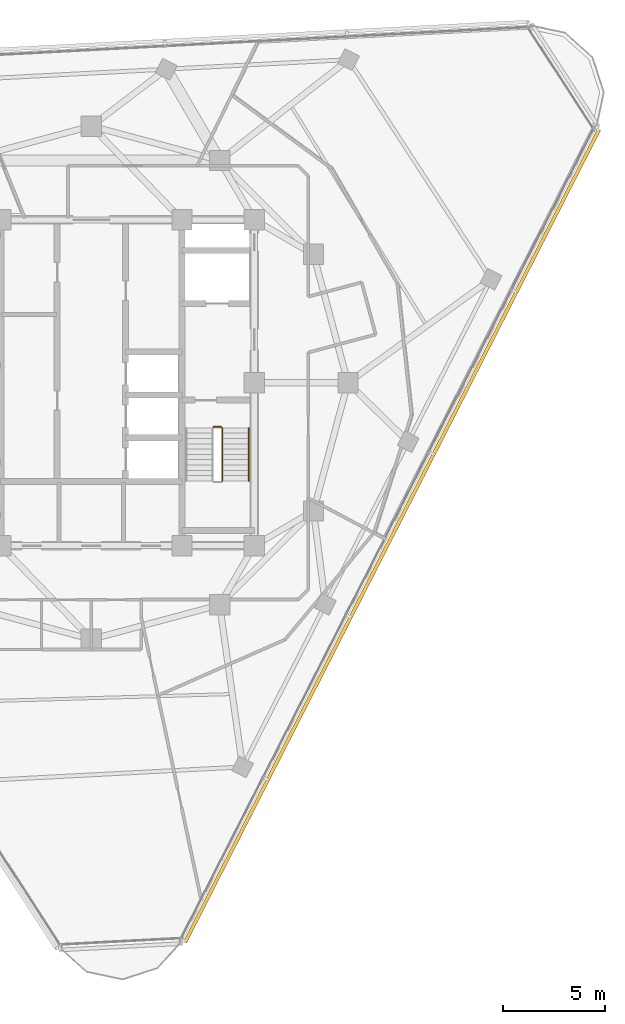
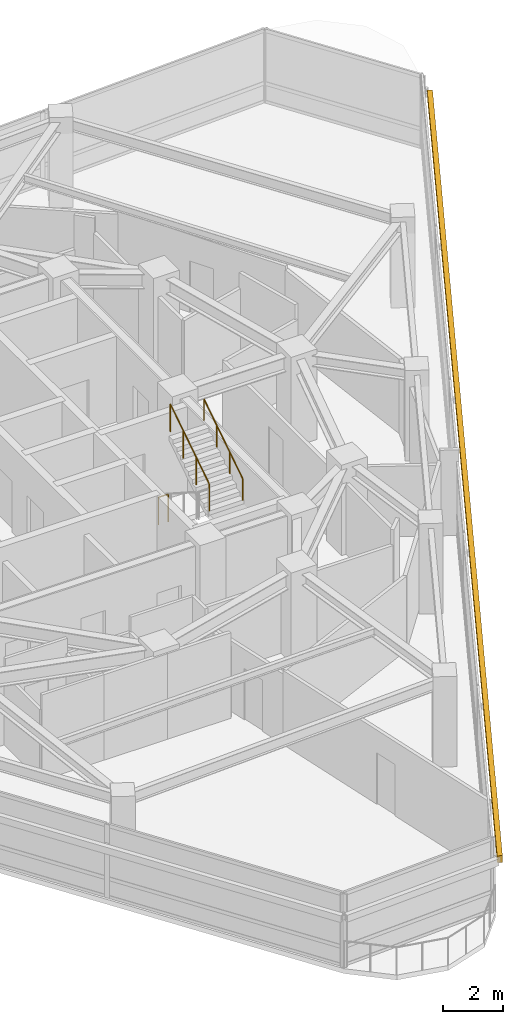
# One storey, part 13 of 15: 3 railings, 1 shading device.
"""IFC4 building model written with IfcOpenShell, lengths in metres."""

from ifc_helpers import new_model, si_unit, direction, frame, origin, origin_2d, place, context, subcontext, project, spatial, rectangle, circle, extrude, material, layer, layer_set, type_object, element, save


model = new_model("IFC4")

# Units and contexts
model_context = context("Model", 3, precision=1e-05, world=origin(), true_north=direction((0.0, 1.0)))
body_context = subcontext(model_context, "Body", "Model", "MODEL_VIEW")
ifc_project = project(units=[si_unit("LENGTHUNIT", "METRE"), si_unit("AREAUNIT", "SQUARE_METRE"), si_unit("VOLUMEUNIT", "CUBIC_METRE"), si_unit("PLANEANGLEUNIT", "RADIAN"), si_unit("MASSUNIT", "GRAM", prefix="KILO")], contexts=[model_context])

# Site, building, storey
site_placement = place(None, origin())
site = spatial("IfcSite", under=ifc_project, at=site_placement, CompositionType="ELEMENT")
building_placement = place(site_placement, origin())
building = spatial("IfcBuilding", under=site, at=building_placement, Name="Terralouvre Media Tower", CompositionType="ELEMENT")
storey_placement = place(building_placement, frame((0.0, 0.0, 267.0)))
storey = spatial("IfcBuildingStorey", under=building, at=storey_placement, Name="L69", CompositionType="ELEMENT", Elevation=267.0)

# Railings
ifc_material_1 = material(Name="Stainless steel 316 handrail and balustrade", Category="steel")
ifc_layer_1 = layer(ifc_material_1, 0.050048828125, Name="Stair Flight Wall Handrail HR-INT1")
ifc_layer_set_1 = layer_set([ifc_layer_1], Name="Stainless steel 316 handrail and balustrade")
railing_type_1 = type_object("IfcRailingType", Name="Stair Flight Wall Handrail HR-INT1", PredefinedType="HANDRAIL", material=ifc_layer_set_1)
railing_1_placement = place(storey_placement, frame((7.72998046875, -4.820068359375, 2.01806640625)))
element("IfcRailing", 1, at=railing_1_placement, inside=storey, type_object=railing_type_1, Name="L69 ST-02 stair handrail 2", PredefinedType="HANDRAIL", context=body_context, shape_type="SweptSolid", body=[
    extrude(circle(Radius=0.02392578125, at=origin_2d()), frame((0.0, 0.0, 0.8759765625), z_axis=(0.0, 0.839648411786, 0.543130320075), x_axis=(-1.0, 0.0, 0.0)), (0.0, 0.0, 1.0), 3.0966796875),
    extrude(circle(Radius=0.02099609375, at=origin_2d()), origin(), (0.0, 0.0, 1.0), 0.851806640625),
    extrude(circle(Radius=0.02099609375, at=origin_2d()), frame((0.0, 0.86669921875, 0.560546875)), (0.0, 0.0, 1.0), 0.851806640625),
    extrude(circle(Radius=0.02099609375, at=origin_2d()), frame((0.0, 1.7333984375, 1.121337890625)), (0.0, 0.0, 1.0), 0.851806640625),
    extrude(circle(Radius=0.02099609375, at=origin_2d()), frame((0.0, 2.60009765625, 1.681884765625)), (0.0, 0.0, 1.0), 0.851806640625),
])
ifc_material_2 = material(Name="Stainless steel 316 handrail and balustrade", Category="steel")
ifc_layer_2 = layer(ifc_material_2, 0.050048828125, Name="Stairwell Safety Guardrail GR-INT1")
ifc_layer_set_2 = layer_set([ifc_layer_2], Name="Stainless steel 316 handrail and balustrade")
railing_type_2 = type_object("IfcRailingType", Name="Stairwell Safety Guardrail GR-INT1", PredefinedType="GUARDRAIL", material=ifc_layer_set_2)
railing_2_placement = place(storey_placement, frame((6.429931640625, -4.820068359375, 2.01806640625)))
element("IfcRailing", 2, at=railing_2_placement, inside=storey, type_object=railing_type_2, Name="L69 ST-02 stair guard 3", PredefinedType="GUARDRAIL", context=body_context, shape_type="SweptSolid", body=[
    extrude(circle(Radius=0.02392578125, at=origin_2d()), frame((0.0, 0.0, 1.1259765625), z_axis=(0.0, 0.839648411786, 0.543130320075), x_axis=(-1.0, 0.0, 0.0)), (0.0, 0.0, 1.0), 3.0966796875),
    extrude(circle(Radius=0.02099609375, at=origin_2d()), origin(), (0.0, 0.0, 1.0), 1.101806640625),
    extrude(circle(Radius=0.02099609375, at=origin_2d()), frame((0.0, 0.86669921875, 0.560546875)), (0.0, 0.0, 1.0), 1.101806640625),
    extrude(circle(Radius=0.02099609375, at=origin_2d()), frame((0.0, 1.7333984375, 1.121337890625)), (0.0, 0.0, 1.0), 1.101806640625),
    extrude(circle(Radius=0.02099609375, at=origin_2d()), frame((0.0, 2.60009765625, 1.681884765625)), (0.0, 0.0, 1.0), 1.101806640625),
])
railing_3_placement = place(storey_placement, frame((6.0, -2.169921875, 0.0)))
element("IfcRailing", 3, at=railing_3_placement, inside=storey, type_object=railing_type_2, Name="L69 ST-02 stair guard 4", PredefinedType="GUARDRAIL", context=body_context, shape_type="SweptSolid", body=[
    extrude(circle(Radius=0.02392578125, at=origin_2d()), frame((0.0, 0.0, 1.1259765625), z_axis=(1.0, 0.0, 0.0), x_axis=(0.0, 1.0, 0.0)), (0.0, 0.0, 1.0), 0.3798828125),
    extrude(circle(Radius=0.02099609375, at=origin_2d()), origin(), (0.0, 0.0, 1.0), 1.101806640625),
    extrude(circle(Radius=0.02099609375, at=origin_2d()), frame((0.3798828125, 0.0, 0.0)), (0.0, 0.0, 1.0), 1.101806640625),
])

# Shading device
ifc_material_3 = material(Name="Extruded terracotta baguette sunshade louvres", Category="masonry")
shading_device_type = type_object("IfcShadingDeviceType", Name="Terracotta Baguette Sunshade Louvre Screen TB-LV1", PredefinedType="USERDEFINED", material=ifc_material_3)
shading_device_placement = place(storey_placement, frame((14.766357421875, -7.52392578125, 2.02392578125), z_axis=(0.0, 0.0, 1.0), x_axis=(0.45399044259, 0.891006553308, 0.0)))
element("IfcShadingDevice", 4, at=shading_device_placement, inside=storey, type_object=shading_device_type, Name="CW-L69-F0 Terracotta Baguette Sunshade Louvre", ObjectType="BAGUETTE", PredefinedType="USERDEFINED", context=body_context, shape_type="SweptSolid", body=[
    extrude(rectangle(XDim=44.800048828125, YDim=0.179931640625, at=origin_2d()), origin(), (0.0, 0.0, 1.0), 0.280029296875),
])

save(model, "model.ifc")
